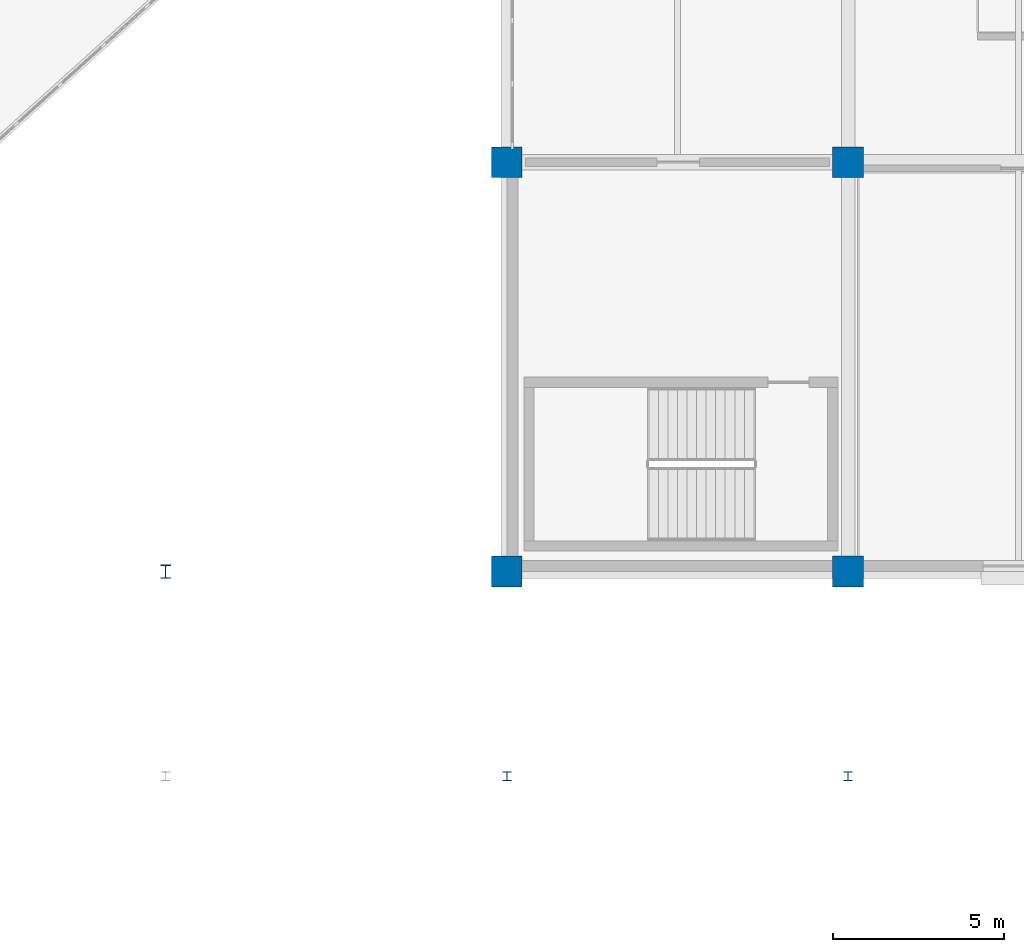
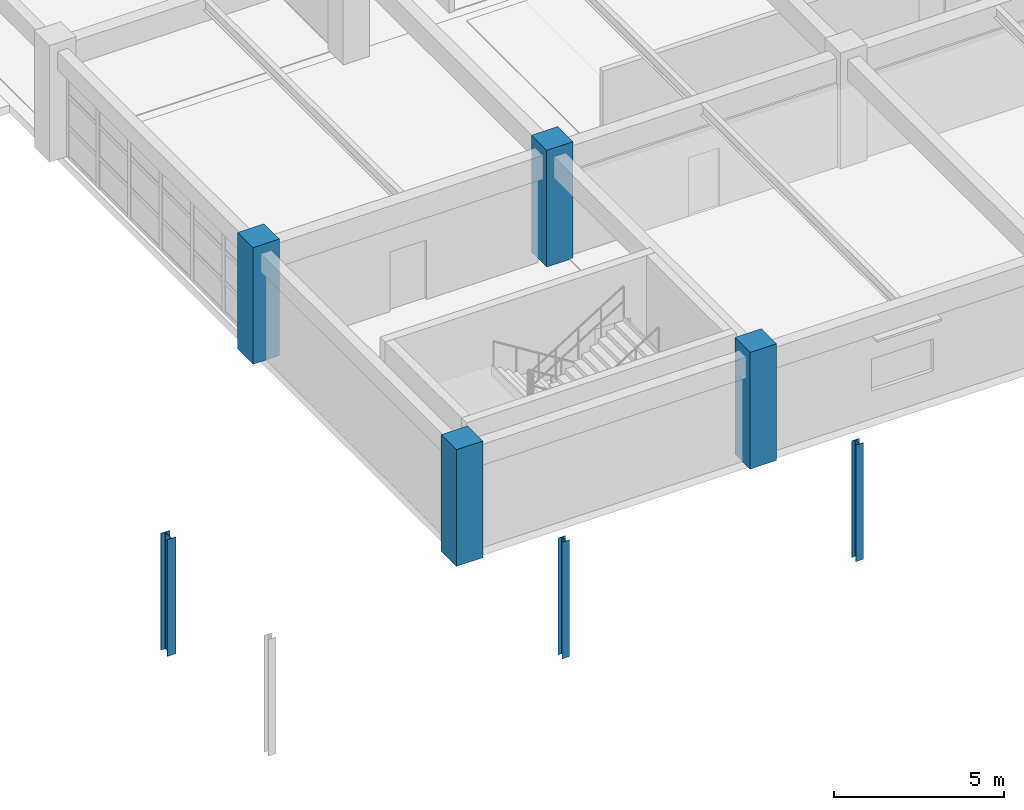
# One storey, part 9 of 100: 7 columns.
"""IFC4 building model written with IfcOpenShell, lengths in metres."""

import ifcopenshell
import ifcopenshell.guid

model = None  # the IFC model being written
_history = None  # IfcOwnerHistory: only IFC2X3 demands one
_inside = {}  # id of a spatial element -> (the spatial element, [elements in it])
_under = {}  # id of a project, library or spatial element -> (it, [spatial elements below it])
_declared = {}  # id of a project -> (the project, [libraries it declares])
_typed = {}  # id of a type object -> (the type object, [elements of that type])
_made_of = {}  # id of a material, layer set ... -> (it, [elements and type objects made of it])


def new_model(schema):
    """Start an empty IFC model of exactly this schema.

    Asked for "IFC4X3", IfcOpenShell would pick the latest addendum, in which some entities
    have other attributes; the version numbers below select the first issue.
    IFC2X3 requires an IfcOwnerHistory on every rooted entity: one is made here for all.
    """
    global model, _history
    if schema == "IFC4X3":
        model = ifcopenshell.file(schema_version=(4, 3, 0, 0))
    else:
        model = ifcopenshell.file(schema=schema)
    _inside.clear()
    _under.clear()
    _declared.clear()
    _typed.clear()
    _made_of.clear()
    _history = None
    if model.schema == "IFC2X3":
        org = make("IfcOrganization", Name="unknown")
        user = make(
            "IfcPersonAndOrganization",
            ThePerson=make("IfcPerson", FamilyName="unknown"),
            TheOrganization=org,
        )
        app = make(
            "IfcApplication",
            ApplicationDeveloper=org,
            Version="unknown",
            ApplicationFullName="unknown",
            ApplicationIdentifier="unknown",
        )
        _history = make(
            "IfcOwnerHistory",
            OwningUser=user,
            OwningApplication=app,
            ChangeAction="ADDED",
            CreationDate=0,
        )
    return model


def make(cls, **values):
    """One entity of the class cls with the attributes given. An attribute that is None is left unset."""
    return model.create_entity(
        cls, **{name: value for name, value in values.items() if value is not None}
    )


def rooted(cls, **values):
    """An entity with a GlobalId (a new one), such as an element, a storey or a relation."""
    return make(cls, GlobalId=ifcopenshell.guid.new(), OwnerHistory=_history, **values)


def si_unit(unit_type, name, prefix=None):
    """IfcSIUnit, for example si_unit("LENGTHUNIT", "METRE", prefix="MILLI")."""
    return make("IfcSIUnit", UnitType=unit_type, Prefix=prefix, Name=name)


def assignment(units):
    """IfcUnitAssignment: the units of a project."""
    return None if units is None else make("IfcUnitAssignment", Units=units)


def point(xyz):
    """IfcCartesianPoint."""
    return None if xyz is None else make("IfcCartesianPoint", Coordinates=xyz)


def direction(xyz):
    """IfcDirection."""
    return None if xyz is None else make("IfcDirection", DirectionRatios=xyz)


def frame(location, z_axis=None, x_axis=None):
    """IfcAxis2Placement3D, a coordinate frame: its origin and axes. An axis left out is left unset."""
    return make(
        "IfcAxis2Placement3D",
        Location=point(location),
        Axis=direction(z_axis),
        RefDirection=direction(x_axis),
    )


def frame_2d(location, x_axis=None):
    """IfcAxis2Placement2D, a coordinate frame in the plane: its origin and x axis."""
    return make(
        "IfcAxis2Placement2D", Location=point(location), RefDirection=direction(x_axis)
    )


def origin():
    """The frame at (0, 0, 0) with its axes left unset."""
    return frame((0.0, 0.0, 0.0))


def origin_2d():
    """The frame at (0, 0) in the plane with its x axis left unset."""
    return frame_2d((0.0, 0.0))


def place(relative_to, where):
    """IfcLocalPlacement: puts the frame where relative to a parent placement (None: the world)."""
    return make(
        "IfcLocalPlacement", PlacementRelTo=relative_to, RelativePlacement=where
    )


def context(
    kind, dimensions, precision=None, world=None, true_north=None, identifier=None
):
    """IfcGeometricRepresentationContext, for example the 3D "Model" context."""
    return make(
        "IfcGeometricRepresentationContext",
        ContextIdentifier=identifier,
        ContextType=kind,
        CoordinateSpaceDimension=dimensions,
        Precision=precision,
        WorldCoordinateSystem=world,
        TrueNorth=true_north,
    )


def subcontext(parent, identifier, kind, view, scale=None):
    """IfcGeometricRepresentationSubContext, for example "Body" below "Model"."""
    return make(
        "IfcGeometricRepresentationSubContext",
        ContextIdentifier=identifier,
        ContextType=kind,
        ParentContext=parent,
        TargetScale=scale,
        TargetView=view,
    )


def project(units=None, contexts=None):
    """IfcProject with its units and contexts."""
    return rooted(
        "IfcProject",
        Name="project",
        RepresentationContexts=contexts,
        UnitsInContext=assignment(units),
    )


def spatial(cls, under=None, at=None, **own):
    """A site, building, storey or space (cls), placed at a placement, below another one or the project."""
    s = rooted(cls, ObjectPlacement=at, **own)
    if under is not None:
        _under.setdefault(under.id(), (under, []))[1].append(s)
    return s


def profile(cls, at=None, kind="AREA", **sizes):
    """A parametric profile (cls). Its sizes go by their IFC names, for example OverallWidth=200.0."""
    return make(cls, ProfileType=kind, Position=at, **sizes)


def rectangle(**sizes):
    """IfcRectangleProfileDef."""
    return profile("IfcRectangleProfileDef", **sizes)


def i_section(**sizes):
    """IfcIShapeProfileDef."""
    return profile("IfcIShapeProfileDef", **sizes)


def extrude(swept, where, along, depth):
    """IfcExtrudedAreaSolid: the profile swept, set in the frame where, extruded along a direction by depth."""
    return make(
        "IfcExtrudedAreaSolid",
        SweptArea=swept,
        Position=where,
        ExtrudedDirection=direction(along),
        Depth=depth,
    )


def shape(context_of_items, identifier, shape_type, items):
    """IfcShapeRepresentation: the items that make up one representation, for example the "Body"."""
    return make(
        "IfcShapeRepresentation",
        ContextOfItems=context_of_items,
        RepresentationIdentifier=identifier,
        RepresentationType=shape_type,
        Items=items,
    )


def material(Name=None, Category=None):
    """IfcMaterial."""
    return make("IfcMaterial", Name=Name, Category=Category)


def material_profile(
    of_material, cross_section, Name=None, Category=None, Priority=None
):
    """IfcMaterialProfile: a cross section and its material."""
    return make(
        "IfcMaterialProfile",
        Name=Name,
        Material=of_material,
        Profile=cross_section,
        Priority=Priority,
        Category=Category,
    )


def profile_set(profiles, Name=None, composite=None):
    """IfcMaterialProfileSet."""
    return make(
        "IfcMaterialProfileSet",
        Name=Name,
        MaterialProfiles=profiles,
        CompositeProfile=composite,
    )


def made_of(thing, what):
    """Note that an element or type object is made of a material, layer set ...; save() writes the relation."""
    if what is not None:
        _made_of.setdefault(what.id(), (what, []))[1].append(thing)
    return thing


def type_object(cls, material=None, **own):
    """A type object (cls), such as IfcWallType, which elements share."""
    return made_of(rooted(cls, **own), material)


def element(
    cls,
    number,
    at=None,
    inside=None,
    cuts=None,
    type_object=None,
    material=None,
    context=None,
    identifier="Body",
    shape_type=None,
    held_by="IfcProductDefinitionShape",
    body=None,
    shapes=None,
    **own,
):
    """One element of the class cls, such as IfcWall. Its Tag is "e" and its number.

    at: its placement. inside: the storey or other place that contains it. cuts: it is an
    opening in that element (IfcRelVoidsElement). A single representation is given by context,
    identifier, shape_type and body (its items); several are given by shapes. held_by: the class
    of the entity that holds the representations. save() writes the other relations.
    """
    e = rooted(cls, Tag="e%d" % number, ObjectPlacement=at, **own)
    if body is not None:
        shapes = [shape(context, identifier, shape_type, body)]
    if shapes is not None:
        e.Representation = make(held_by, Representations=shapes)
    if inside is not None:
        _inside.setdefault(inside.id(), (inside, []))[1].append(e)
    if cuts is not None:
        rooted(
            "IfcRelVoidsElement", RelatingBuildingElement=cuts, RelatedOpeningElement=e
        )
    if type_object is not None:
        _typed.setdefault(type_object.id(), (type_object, []))[1].append(e)
    return made_of(e, material)


def aggregate(whole, parts):
    """IfcRelAggregates: a whole, such as a stair, and the parts it consists of."""
    return rooted("IfcRelAggregates", RelatingObject=whole, RelatedObjects=parts)


def save(model, path):
    """Write the relations noted so far, then the file.

    IfcRelAggregates (storeys below a building ...), IfcRelContainedInSpatialStructure (elements
    in a storey), IfcRelDefinesByType, IfcRelAssociatesMaterial and IfcRelDeclares: one each for
    every whole, place, type object, material and project.
    """
    for whole, parts in _under.values():
        aggregate(whole, parts)
    for where, things in _inside.values():
        rooted(
            "IfcRelContainedInSpatialStructure",
            RelatedElements=things,
            RelatingStructure=where,
        )
    for kind, things in _typed.values():
        rooted("IfcRelDefinesByType", RelatedObjects=things, RelatingType=kind)
    for what, things in _made_of.values():
        rooted("IfcRelAssociatesMaterial", RelatedObjects=things, RelatingMaterial=what)
    for by, libraries in _declared.values():
        rooted("IfcRelDeclares", RelatingContext=by, RelatedDefinitions=libraries)
    model.write(path)


model = new_model("IFC4")

# Units and contexts
model_context = context("Model", 3, precision=1e-05, world=origin(), true_north=direction((0.0, 1.0)))
body_context = subcontext(model_context, "Body", "Model", "MODEL_VIEW")
ifc_project = project(units=[si_unit("LENGTHUNIT", "METRE"), si_unit("AREAUNIT", "SQUARE_METRE"), si_unit("VOLUMEUNIT", "CUBIC_METRE"), si_unit("PLANEANGLEUNIT", "RADIAN"), si_unit("MASSUNIT", "GRAM", prefix="KILO")], contexts=[model_context])

# Site, building, storey
site_placement = place(None, origin())
site = spatial("IfcSite", under=ifc_project, at=site_placement, CompositionType="ELEMENT")
building_placement = place(site_placement, origin())
building = spatial("IfcBuilding", under=site, at=building_placement, Name="Kivolera Central Railway Station", CompositionType="ELEMENT")
storey_placement = place(building_placement, frame((0.0, 0.0, 5.39990234375)))
storey = spatial("IfcBuildingStorey", under=building, at=storey_placement, Name="L01", CompositionType="ELEMENT", Elevation=5.39990234375)

# Columns
ifc_material_1 = material(Name="Concrete C40/50", Category="concrete")
ifc_material_profile_1 = material_profile(ifc_material_1, rectangle(XDim=0.89990234375, YDim=0.89990234375, at=origin_2d()), Name="RC 900x900")
ifc_profile_set_1 = profile_set([ifc_material_profile_1], Name="Concrete C40/50")
column_type_1 = type_object("IfcColumnType", Name="COL-RC-900", PredefinedType="COLUMN", material=ifc_profile_set_1)
for number, where, z_axis, x_axis, name in (
    (1, (118.0, 54.0, 0.0), (0.0, 0.0, 1.0), (1.0, 0.0, 0.0), "L01 Wing Column 12-E"),
    (2, (118.0, 66.0, 0.0), (0.0, 0.0, 1.0), (1.0, 0.0, 0.0), "L01 Wing Column 12-F"),
    (3, (128.0, 54.0, 0.0), (0.0, 0.0, 1.0), (1.0, 0.0, 0.0), "L01 Wing Column 13-E"),
    (4, (128.0, 66.0, 0.0), (0.0, 0.0, 1.0), (1.0, 0.0, 0.0), "L01 Wing Column 13-F"),
):
    element("IfcColumn", number, at=place(storey_placement, frame(where, z_axis=z_axis, x_axis=x_axis)), inside=storey, type_object=column_type_1, Name=name, PredefinedType="COLUMN", context=body_context, shape_type="SweptSolid", body=[
        extrude(rectangle(XDim=0.89990234375, YDim=0.89990234375, at=origin_2d()), origin(), (0.0, 0.0, 1.0), 4.2001953125),
    ])
ifc_material_2 = material(Name="Steel S355", Category="steel")
ifc_material_profile_2 = material_profile(ifc_material_2, i_section(OverallWidth=0.300048828125, OverallDepth=0.39990234375, WebThickness=0.013427734375, FlangeThickness=0.02392578125, FilletRadius=0.027099609375, at=origin_2d()), Name="HEB 400")
ifc_profile_set_2 = profile_set([ifc_material_profile_2], Name="Steel S355")
column_type_2 = type_object("IfcColumnType", Name="COL-STL-HEB400", PredefinedType="COLUMN", material=ifc_profile_set_2)
column_placement = place(storey_placement, frame((108.0, 54.0, 0.0), z_axis=(0.0, 0.0, 1.0), x_axis=(1.0, 0.0, 0.0)))
element("IfcColumn", 5, at=column_placement, inside=storey, type_object=column_type_2, Name="L01 Train Shed Threshold Column 11-E", PredefinedType="COLUMN", context=body_context, shape_type="SweptSolid", body=[
    extrude(i_section(OverallWidth=0.300048828125, OverallDepth=0.39990234375, WebThickness=0.013427734375, FlangeThickness=0.02392578125, FilletRadius=0.027099609375, at=origin_2d()), origin(), (0.0, 0.0, 1.0), 4.2001953125),
])
ifc_material_profile_3 = material_profile(ifc_material_2, i_section(OverallWidth=0.25634765625, OverallDepth=0.26025390625, WebThickness=0.01025390625, FlangeThickness=0.017333984375, FilletRadius=0.0126953125, at=origin_2d()), Name="UC 254x254x89")
ifc_profile_set_3 = profile_set([ifc_material_profile_3], Name="Steel S355")
column_type_3 = type_object("IfcColumnType", Name="COL-STL-UC254", PredefinedType="COLUMN", material=ifc_profile_set_3)
for number, where, z_axis, x_axis, name in (
    (6, (118.0, 48.0, 0.0), (0.0, 0.0, 1.0), (1.0, 0.0, 0.0), "L01 Train Shed Column 12-D"),
    (7, (128.0, 48.0, 0.0), (0.0, 0.0, 1.0), (1.0, 0.0, 0.0), "L01 Train Shed Column 13-D"),
):
    element("IfcColumn", number, at=place(storey_placement, frame(where, z_axis=z_axis, x_axis=x_axis)), inside=storey, type_object=column_type_3, Name=name, PredefinedType="COLUMN", context=body_context, shape_type="SweptSolid", body=[
        extrude(i_section(OverallWidth=0.25634765625, OverallDepth=0.26025390625, WebThickness=0.01025390625, FlangeThickness=0.017333984375, FilletRadius=0.0126953125, at=origin_2d()), origin(), (0.0, 0.0, 1.0), 4.2001953125),
    ])

save(model, "model.ifc")
